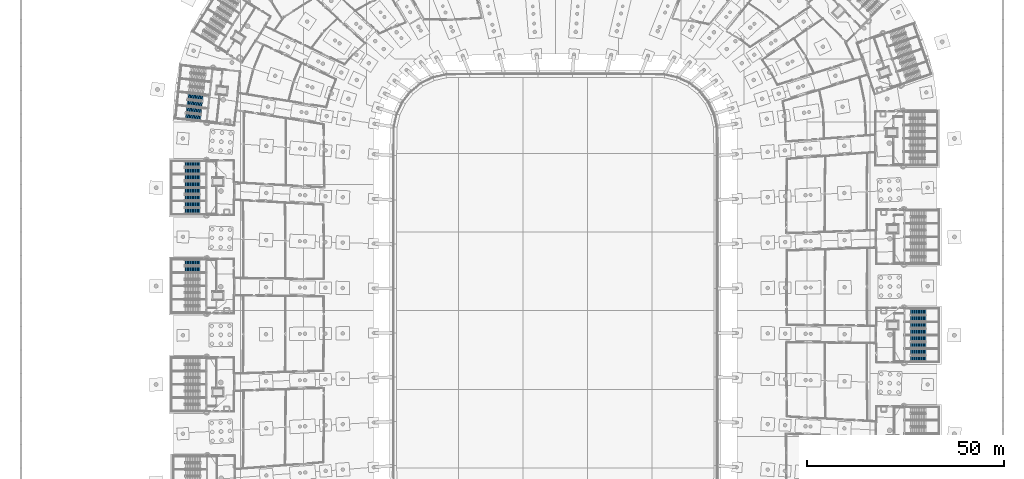
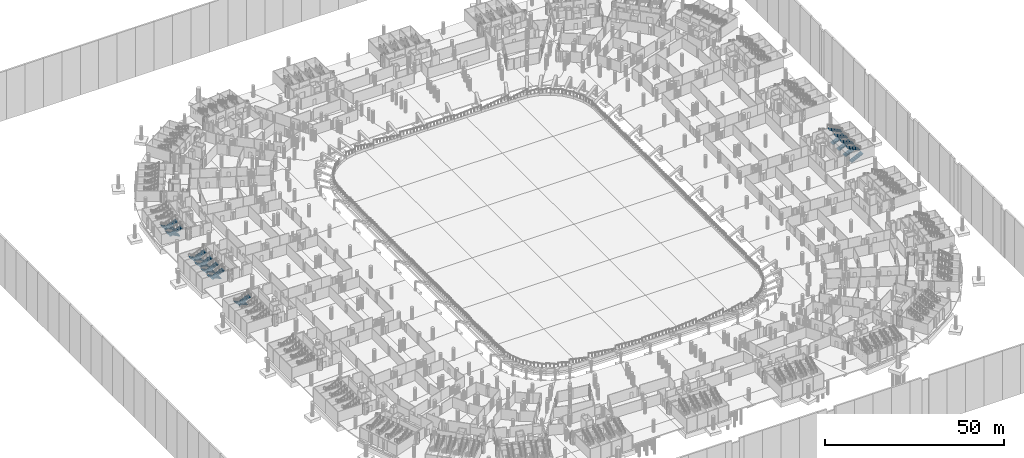
# One storey, part 103 of 142: 22 stair flights, 11 elements without a shape of their own.
"""IFC4 building model written with IfcOpenShell, lengths in metres."""

from ifc_helpers import new_model, si_unit, direction, frame, origin, place, context, subcontext, project, spatial, polyline, outline, extrude, material, type_object, element, aggregate, save


model = new_model("IFC4")

# Units and contexts
model_context = context("Model", 3, precision=1e-05, world=origin(), true_north=direction((0.0, 1.0)))
body_context = subcontext(model_context, "Body", "Model", "MODEL_VIEW")
ifc_project = project(units=[si_unit("LENGTHUNIT", "METRE"), si_unit("AREAUNIT", "SQUARE_METRE"), si_unit("VOLUMEUNIT", "CUBIC_METRE"), si_unit("PLANEANGLEUNIT", "RADIAN"), si_unit("MASSUNIT", "GRAM", prefix="KILO")], contexts=[model_context])

# Site, building, storey
site_placement = place(None, origin())
site = spatial("IfcSite", under=ifc_project, at=site_placement, CompositionType="ELEMENT")
building_placement = place(site_placement, origin())
building = spatial("IfcBuilding", under=site, at=building_placement, Name="Meseta Stadium", CompositionType="ELEMENT")
storey_placement = place(building_placement, frame((0.0, 0.0, -4.0)))
storey = spatial("IfcBuildingStorey", under=building, at=storey_placement, Name="B1", CompositionType="ELEMENT", Elevation=-4.0)

# Stair, stair flights
ifc_material_1 = material(Name="Concrete C40/50", Category="concrete")
stair_type = type_object("IfcStairType", Name="Exit stair 2 flights 154 mm risers", PredefinedType="HALF_TURN_STAIR", material=ifc_material_1)
stair_1_placement = place(storey_placement, origin())
stair_1 = element("IfcStair", 1, at=stair_1_placement, inside=storey, type_object=stair_type, Name="ST9 B1", PredefinedType="HALF_TURN_STAIR")
ifc_material_2 = material(Name="Concrete C40/50", Category="concrete")
stair_flight_type = type_object("IfcStairFlightType", Name="Exit stair flight 154 mm risers, 2 per storey", PredefinedType="STRAIGHT", material=ifc_material_2)
stair_flight_1_placement = place(storey_placement, frame((90.300048828125, -12.199951171875, 0.0), z_axis=(0.0, 0.0, 1.0), x_axis=(1.0, 0.0, 0.0)))
stair_flight_1 = element("IfcStairFlight", 2, at=stair_flight_1_placement, type_object=stair_flight_type, Name="ST9 B1 flight 1", NumberOfRisers=13, NumberOfTreads=12, PredefinedType="STRAIGHT", RiserHeight=0.153846154, TreadLength=0.32, context=body_context, shape_type="SweptSolid", body=[
    extrude(outline(polyline([(0.0, 0.0), (0.0, 0.15380859375), (0.320068359375, 0.15380859375), (0.320068359375, 0.3076171875), (0.639892578125, 0.3076171875), (0.639892578125, 0.46142578125), (0.9599609375, 0.46142578125), (0.9599609375, 0.615478515625), (1.280029296875, 0.615478515625), (1.280029296875, 0.769287109375), (1.60009765625, 0.769287109375), (1.60009765625, 0.923095703125), (1.919921875, 0.923095703125), (1.919921875, 1.076904296875), (2.239990234375, 1.076904296875), (2.239990234375, 1.230712890625), (2.56005859375, 1.230712890625), (2.56005859375, 1.384521484375), (2.8798828125, 1.384521484375), (2.8798828125, 1.53857421875), (3.199951171875, 1.53857421875), (3.199951171875, 1.6923828125), (3.52001953125, 1.6923828125), (3.52001953125, 1.84619140625), (3.840087890625, 1.84619140625), (3.840087890625, 1.679931640625), (0.345947265625, 0.0), (0.0, 0.0)])), frame((0.0, 0.75, 0.0), z_axis=(0.0, -1.0, 0.0), x_axis=(1.0, 0.0, 0.0)), (0.0, 0.0, 1.0), 1.5),
])
stair_flight_2_placement = place(storey_placement, frame((94.139892578125, -10.5, 2.0), z_axis=(0.0, 0.0, 1.0), x_axis=(-1.0, 0.0, 0.0)))
stair_flight_2 = element("IfcStairFlight", 3, at=stair_flight_2_placement, type_object=stair_flight_type, Name="ST9 B1 flight 2", NumberOfRisers=13, NumberOfTreads=12, PredefinedType="STRAIGHT", RiserHeight=0.153846154, TreadLength=0.32, context=body_context, shape_type="SweptSolid", body=[
    extrude(outline(polyline([(0.0, 0.0), (0.0, 0.15380859375), (0.320068359375, 0.15380859375), (0.320068359375, 0.3076171875), (0.639892578125, 0.3076171875), (0.639892578125, 0.46142578125), (0.9599609375, 0.46142578125), (0.9599609375, 0.615478515625), (1.280029296875, 0.615478515625), (1.280029296875, 0.769287109375), (1.60009765625, 0.769287109375), (1.60009765625, 0.923095703125), (1.919921875, 0.923095703125), (1.919921875, 1.076904296875), (2.239990234375, 1.076904296875), (2.239990234375, 1.230712890625), (2.56005859375, 1.230712890625), (2.56005859375, 1.384521484375), (2.8798828125, 1.384521484375), (2.8798828125, 1.53857421875), (3.199951171875, 1.53857421875), (3.199951171875, 1.6923828125), (3.52001953125, 1.6923828125), (3.52001953125, 1.84619140625), (3.840087890625, 1.84619140625), (3.840087890625, 1.679931640625), (0.345947265625, 0.0), (0.0, 0.0)])), frame((0.0, 0.75, 0.0), z_axis=(0.0, -1.0, 0.0), x_axis=(1.0, 0.0, 0.0)), (0.0, 0.0, 1.0), 1.5),
])
aggregate(stair_1, [stair_flight_1, stair_flight_2])

stair_2_placement = place(storey_placement, origin())
stair_2 = element("IfcStair", 4, at=stair_2_placement, inside=storey, type_object=stair_type, Name="ST10 B1", PredefinedType="HALF_TURN_STAIR")
stair_flight_3_placement = place(storey_placement, frame((90.300048828125, -8.800048828125, 0.0), z_axis=(0.0, 0.0, 1.0), x_axis=(1.0, 0.0, 0.0)))
stair_flight_3 = element("IfcStairFlight", 5, at=stair_flight_3_placement, type_object=stair_flight_type, Name="ST10 B1 flight 1", NumberOfRisers=13, NumberOfTreads=12, PredefinedType="STRAIGHT", RiserHeight=0.153846154, TreadLength=0.32, context=body_context, shape_type="SweptSolid", body=[
    extrude(outline(polyline([(0.0, 0.0), (0.0, 0.15380859375), (0.320068359375, 0.15380859375), (0.320068359375, 0.3076171875), (0.639892578125, 0.3076171875), (0.639892578125, 0.46142578125), (0.9599609375, 0.46142578125), (0.9599609375, 0.615478515625), (1.280029296875, 0.615478515625), (1.280029296875, 0.769287109375), (1.60009765625, 0.769287109375), (1.60009765625, 0.923095703125), (1.919921875, 0.923095703125), (1.919921875, 1.076904296875), (2.239990234375, 1.076904296875), (2.239990234375, 1.230712890625), (2.56005859375, 1.230712890625), (2.56005859375, 1.384521484375), (2.8798828125, 1.384521484375), (2.8798828125, 1.53857421875), (3.199951171875, 1.53857421875), (3.199951171875, 1.6923828125), (3.52001953125, 1.6923828125), (3.52001953125, 1.84619140625), (3.840087890625, 1.84619140625), (3.840087890625, 1.679931640625), (0.345947265625, 0.0), (0.0, 0.0)])), frame((0.0, 0.75, 0.0), z_axis=(0.0, -1.0, 0.0), x_axis=(1.0, 0.0, 0.0)), (0.0, 0.0, 1.0), 1.5),
])
stair_flight_4_placement = place(storey_placement, frame((94.139892578125, -7.10009765625, 2.0), z_axis=(0.0, 0.0, 1.0), x_axis=(-1.0, 0.0, 0.0)))
stair_flight_4 = element("IfcStairFlight", 6, at=stair_flight_4_placement, type_object=stair_flight_type, Name="ST10 B1 flight 2", NumberOfRisers=13, NumberOfTreads=12, PredefinedType="STRAIGHT", RiserHeight=0.153846154, TreadLength=0.32, context=body_context, shape_type="SweptSolid", body=[
    extrude(outline(polyline([(0.0, 0.0), (0.0, 0.15380859375), (0.320068359375, 0.15380859375), (0.320068359375, 0.3076171875), (0.639892578125, 0.3076171875), (0.639892578125, 0.46142578125), (0.9599609375, 0.46142578125), (0.9599609375, 0.615478515625), (1.280029296875, 0.615478515625), (1.280029296875, 0.769287109375), (1.60009765625, 0.769287109375), (1.60009765625, 0.923095703125), (1.919921875, 0.923095703125), (1.919921875, 1.076904296875), (2.239990234375, 1.076904296875), (2.239990234375, 1.230712890625), (2.56005859375, 1.230712890625), (2.56005859375, 1.384521484375), (2.8798828125, 1.384521484375), (2.8798828125, 1.53857421875), (3.199951171875, 1.53857421875), (3.199951171875, 1.6923828125), (3.52001953125, 1.6923828125), (3.52001953125, 1.84619140625), (3.840087890625, 1.84619140625), (3.840087890625, 1.679931640625), (0.345947265625, 0.0), (0.0, 0.0)])), frame((0.0, 0.75, 0.0), z_axis=(0.0, -1.0, 0.0), x_axis=(1.0, 0.0, 0.0)), (0.0, 0.0, 1.0), 1.5),
])
aggregate(stair_2, [stair_flight_3, stair_flight_4])

stair_3_placement = place(storey_placement, origin())
stair_3 = element("IfcStair", 7, at=stair_3_placement, inside=storey, type_object=stair_type, Name="ST11 B1", PredefinedType="HALF_TURN_STAIR")
stair_flight_5_placement = place(storey_placement, frame((90.300048828125, -5.39990234375, 0.0), z_axis=(0.0, 0.0, 1.0), x_axis=(1.0, 0.0, 0.0)))
stair_flight_5 = element("IfcStairFlight", 8, at=stair_flight_5_placement, type_object=stair_flight_type, Name="ST11 B1 flight 1", NumberOfRisers=13, NumberOfTreads=12, PredefinedType="STRAIGHT", RiserHeight=0.153846154, TreadLength=0.32, context=body_context, shape_type="SweptSolid", body=[
    extrude(outline(polyline([(0.0, 0.0), (0.0, 0.15380859375), (0.320068359375, 0.15380859375), (0.320068359375, 0.3076171875), (0.639892578125, 0.3076171875), (0.639892578125, 0.46142578125), (0.9599609375, 0.46142578125), (0.9599609375, 0.615478515625), (1.280029296875, 0.615478515625), (1.280029296875, 0.769287109375), (1.60009765625, 0.769287109375), (1.60009765625, 0.923095703125), (1.919921875, 0.923095703125), (1.919921875, 1.076904296875), (2.239990234375, 1.076904296875), (2.239990234375, 1.230712890625), (2.56005859375, 1.230712890625), (2.56005859375, 1.384521484375), (2.8798828125, 1.384521484375), (2.8798828125, 1.53857421875), (3.199951171875, 1.53857421875), (3.199951171875, 1.6923828125), (3.52001953125, 1.6923828125), (3.52001953125, 1.84619140625), (3.840087890625, 1.84619140625), (3.840087890625, 1.679931640625), (0.345947265625, 0.0), (0.0, 0.0)])), frame((0.0, 0.75, 0.0), z_axis=(0.0, -1.0, 0.0), x_axis=(1.0, 0.0, 0.0)), (0.0, 0.0, 1.0), 1.5),
])
stair_flight_6_placement = place(storey_placement, frame((94.139892578125, -3.699951171875, 2.0), z_axis=(0.0, 0.0, 1.0), x_axis=(-1.0, 0.0, 0.0)))
stair_flight_6 = element("IfcStairFlight", 9, at=stair_flight_6_placement, type_object=stair_flight_type, Name="ST11 B1 flight 2", NumberOfRisers=13, NumberOfTreads=12, PredefinedType="STRAIGHT", RiserHeight=0.153846154, TreadLength=0.32, context=body_context, shape_type="SweptSolid", body=[
    extrude(outline(polyline([(0.0, 0.0), (0.0, 0.15380859375), (0.320068359375, 0.15380859375), (0.320068359375, 0.3076171875), (0.639892578125, 0.3076171875), (0.639892578125, 0.46142578125), (0.9599609375, 0.46142578125), (0.9599609375, 0.615478515625), (1.280029296875, 0.615478515625), (1.280029296875, 0.769287109375), (1.60009765625, 0.769287109375), (1.60009765625, 0.923095703125), (1.919921875, 0.923095703125), (1.919921875, 1.076904296875), (2.239990234375, 1.076904296875), (2.239990234375, 1.230712890625), (2.56005859375, 1.230712890625), (2.56005859375, 1.384521484375), (2.8798828125, 1.384521484375), (2.8798828125, 1.53857421875), (3.199951171875, 1.53857421875), (3.199951171875, 1.6923828125), (3.52001953125, 1.6923828125), (3.52001953125, 1.84619140625), (3.840087890625, 1.84619140625), (3.840087890625, 1.679931640625), (0.345947265625, 0.0), (0.0, 0.0)])), frame((0.0, 0.75, 0.0), z_axis=(0.0, -1.0, 0.0), x_axis=(1.0, 0.0, 0.0)), (0.0, 0.0, 1.0), 1.5),
])
aggregate(stair_3, [stair_flight_5, stair_flight_6])

stair_4_placement = place(storey_placement, origin())
stair_4 = element("IfcStair", 10, at=stair_4_placement, inside=storey, type_object=stair_type, Name="ST12 B1", PredefinedType="HALF_TURN_STAIR")
stair_flight_7_placement = place(storey_placement, frame((90.300048828125, -2.0, 0.0), z_axis=(0.0, 0.0, 1.0), x_axis=(1.0, 0.0, 0.0)))
stair_flight_7 = element("IfcStairFlight", 11, at=stair_flight_7_placement, type_object=stair_flight_type, Name="ST12 B1 flight 1", NumberOfRisers=13, NumberOfTreads=12, PredefinedType="STRAIGHT", RiserHeight=0.153846154, TreadLength=0.32, context=body_context, shape_type="SweptSolid", body=[
    extrude(outline(polyline([(0.0, 0.0), (0.0, 0.15380859375), (0.320068359375, 0.15380859375), (0.320068359375, 0.3076171875), (0.639892578125, 0.3076171875), (0.639892578125, 0.46142578125), (0.9599609375, 0.46142578125), (0.9599609375, 0.615478515625), (1.280029296875, 0.615478515625), (1.280029296875, 0.769287109375), (1.60009765625, 0.769287109375), (1.60009765625, 0.923095703125), (1.919921875, 0.923095703125), (1.919921875, 1.076904296875), (2.239990234375, 1.076904296875), (2.239990234375, 1.230712890625), (2.56005859375, 1.230712890625), (2.56005859375, 1.384521484375), (2.8798828125, 1.384521484375), (2.8798828125, 1.53857421875), (3.199951171875, 1.53857421875), (3.199951171875, 1.6923828125), (3.52001953125, 1.6923828125), (3.52001953125, 1.84619140625), (3.840087890625, 1.84619140625), (3.840087890625, 1.679931640625), (0.345947265625, 0.0), (0.0, 0.0)])), frame((0.0, 0.75, 0.0), z_axis=(0.0, -1.0, 0.0), x_axis=(1.0, 0.0, 0.0)), (0.0, 0.0, 1.0), 1.5),
])
stair_flight_8_placement = place(storey_placement, frame((94.139892578125, -0.300048828125, 2.0), z_axis=(0.0, 0.0, 1.0), x_axis=(-1.0, 0.0, 0.0)))
stair_flight_8 = element("IfcStairFlight", 12, at=stair_flight_8_placement, type_object=stair_flight_type, Name="ST12 B1 flight 2", NumberOfRisers=13, NumberOfTreads=12, PredefinedType="STRAIGHT", RiserHeight=0.153846154, TreadLength=0.32, context=body_context, shape_type="SweptSolid", body=[
    extrude(outline(polyline([(0.0, 0.0), (0.0, 0.15380859375), (0.320068359375, 0.15380859375), (0.320068359375, 0.3076171875), (0.639892578125, 0.3076171875), (0.639892578125, 0.46142578125), (0.9599609375, 0.46142578125), (0.9599609375, 0.615478515625), (1.280029296875, 0.615478515625), (1.280029296875, 0.769287109375), (1.60009765625, 0.769287109375), (1.60009765625, 0.923095703125), (1.919921875, 0.923095703125), (1.919921875, 1.076904296875), (2.239990234375, 1.076904296875), (2.239990234375, 1.230712890625), (2.56005859375, 1.230712890625), (2.56005859375, 1.384521484375), (2.8798828125, 1.384521484375), (2.8798828125, 1.53857421875), (3.199951171875, 1.53857421875), (3.199951171875, 1.6923828125), (3.52001953125, 1.6923828125), (3.52001953125, 1.84619140625), (3.840087890625, 1.84619140625), (3.840087890625, 1.679931640625), (0.345947265625, 0.0), (0.0, 0.0)])), frame((0.0, 0.75, 0.0), z_axis=(0.0, -1.0, 0.0), x_axis=(1.0, 0.0, 0.0)), (0.0, 0.0, 1.0), 1.5),
])
aggregate(stair_4, [stair_flight_7, stair_flight_8])

stair_5_placement = place(storey_placement, origin())
stair_5 = element("IfcStair", 13, at=stair_5_placement, inside=storey, type_object=stair_type, Name="ST59 B1", PredefinedType="HALF_TURN_STAIR")
stair_flight_9_placement = place(storey_placement, frame((-89.5205078125, 54.048095703125, 0.0), z_axis=(0.0, 0.0, 1.0), x_axis=(-0.993712210731, 0.11196446867, 0.0)))
stair_flight_9 = element("IfcStairFlight", 14, at=stair_flight_9_placement, type_object=stair_flight_type, Name="ST59 B1 flight 1", NumberOfRisers=13, NumberOfTreads=12, PredefinedType="STRAIGHT", RiserHeight=0.153846154, TreadLength=0.32, context=body_context, shape_type="SweptSolid", body=[
    extrude(outline(polyline([(0.0, 0.0), (0.0, 0.15380859375), (0.320068359375, 0.15380859375), (0.320068359375, 0.3076171875), (0.639892578125, 0.3076171875), (0.639892578125, 0.46142578125), (0.9599609375, 0.46142578125), (0.9599609375, 0.615478515625), (1.280029296875, 0.615478515625), (1.280029296875, 0.769287109375), (1.60009765625, 0.769287109375), (1.60009765625, 0.923095703125), (1.919921875, 0.923095703125), (1.919921875, 1.076904296875), (2.239990234375, 1.076904296875), (2.239990234375, 1.230712890625), (2.56005859375, 1.230712890625), (2.56005859375, 1.384521484375), (2.8798828125, 1.384521484375), (2.8798828125, 1.53857421875), (3.199951171875, 1.53857421875), (3.199951171875, 1.6923828125), (3.52001953125, 1.6923828125), (3.52001953125, 1.84619140625), (3.840087890625, 1.84619140625), (3.840087890625, 1.679931640625), (0.345947265625, 0.0), (0.0, 0.0)])), frame((0.0, 0.75, 0.0), z_axis=(0.0, -1.0, 0.0), x_axis=(1.0, 0.0, 0.0)), (0.0, 0.0, 1.0), 1.5),
])
stair_flight_10_placement = place(storey_placement, frame((-93.526611328125, 52.788818359375, 2.0), z_axis=(0.0, 0.0, 1.0), x_axis=(0.993712210731, -0.11196446867, 0.0)))
stair_flight_10 = element("IfcStairFlight", 15, at=stair_flight_10_placement, type_object=stair_flight_type, Name="ST59 B1 flight 2", NumberOfRisers=13, NumberOfTreads=12, PredefinedType="STRAIGHT", RiserHeight=0.153846154, TreadLength=0.32, context=body_context, shape_type="SweptSolid", body=[
    extrude(outline(polyline([(0.0, 0.0), (0.0, 0.15380859375), (0.320068359375, 0.15380859375), (0.320068359375, 0.3076171875), (0.639892578125, 0.3076171875), (0.639892578125, 0.46142578125), (0.9599609375, 0.46142578125), (0.9599609375, 0.615478515625), (1.280029296875, 0.615478515625), (1.280029296875, 0.769287109375), (1.60009765625, 0.769287109375), (1.60009765625, 0.923095703125), (1.919921875, 0.923095703125), (1.919921875, 1.076904296875), (2.239990234375, 1.076904296875), (2.239990234375, 1.230712890625), (2.56005859375, 1.230712890625), (2.56005859375, 1.384521484375), (2.8798828125, 1.384521484375), (2.8798828125, 1.53857421875), (3.199951171875, 1.53857421875), (3.199951171875, 1.6923828125), (3.52001953125, 1.6923828125), (3.52001953125, 1.84619140625), (3.840087890625, 1.84619140625), (3.840087890625, 1.679931640625), (0.345947265625, 0.0), (0.0, 0.0)])), frame((0.0, 0.75, 0.0), z_axis=(0.0, -1.0, 0.0), x_axis=(1.0, 0.0, 0.0)), (0.0, 0.0, 1.0), 1.5),
])
aggregate(stair_5, [stair_flight_9, stair_flight_10])

stair_6_placement = place(storey_placement, origin())
stair_6 = element("IfcStair", 16, at=stair_6_placement, inside=storey, type_object=stair_type, Name="ST60 B1", PredefinedType="HALF_TURN_STAIR")
stair_flight_11_placement = place(storey_placement, frame((-89.901123046875, 50.669677734375, 0.0), z_axis=(0.0, 0.0, 1.0), x_axis=(-0.993712210731, 0.11196446867, 0.0)))
stair_flight_11 = element("IfcStairFlight", 17, at=stair_flight_11_placement, type_object=stair_flight_type, Name="ST60 B1 flight 1", NumberOfRisers=13, NumberOfTreads=12, PredefinedType="STRAIGHT", RiserHeight=0.153846154, TreadLength=0.32, context=body_context, shape_type="SweptSolid", body=[
    extrude(outline(polyline([(0.0, 0.0), (0.0, 0.15380859375), (0.320068359375, 0.15380859375), (0.320068359375, 0.3076171875), (0.639892578125, 0.3076171875), (0.639892578125, 0.46142578125), (0.9599609375, 0.46142578125), (0.9599609375, 0.615478515625), (1.280029296875, 0.615478515625), (1.280029296875, 0.769287109375), (1.60009765625, 0.769287109375), (1.60009765625, 0.923095703125), (1.919921875, 0.923095703125), (1.919921875, 1.076904296875), (2.239990234375, 1.076904296875), (2.239990234375, 1.230712890625), (2.56005859375, 1.230712890625), (2.56005859375, 1.384521484375), (2.8798828125, 1.384521484375), (2.8798828125, 1.53857421875), (3.199951171875, 1.53857421875), (3.199951171875, 1.6923828125), (3.52001953125, 1.6923828125), (3.52001953125, 1.84619140625), (3.840087890625, 1.84619140625), (3.840087890625, 1.679931640625), (0.345947265625, 0.0), (0.0, 0.0)])), frame((0.0, 0.75, 0.0), z_axis=(0.0, -1.0, 0.0), x_axis=(1.0, 0.0, 0.0)), (0.0, 0.0, 1.0), 1.5),
])
stair_flight_12_placement = place(storey_placement, frame((-93.9072265625, 49.41015625, 2.0), z_axis=(0.0, 0.0, 1.0), x_axis=(0.993712210731, -0.11196446867, 0.0)))
stair_flight_12 = element("IfcStairFlight", 18, at=stair_flight_12_placement, type_object=stair_flight_type, Name="ST60 B1 flight 2", NumberOfRisers=13, NumberOfTreads=12, PredefinedType="STRAIGHT", RiserHeight=0.153846154, TreadLength=0.32, context=body_context, shape_type="SweptSolid", body=[
    extrude(outline(polyline([(0.0, 0.0), (0.0, 0.15380859375), (0.320068359375, 0.15380859375), (0.320068359375, 0.3076171875), (0.639892578125, 0.3076171875), (0.639892578125, 0.46142578125), (0.9599609375, 0.46142578125), (0.9599609375, 0.615478515625), (1.280029296875, 0.615478515625), (1.280029296875, 0.769287109375), (1.60009765625, 0.769287109375), (1.60009765625, 0.923095703125), (1.919921875, 0.923095703125), (1.919921875, 1.076904296875), (2.239990234375, 1.076904296875), (2.239990234375, 1.230712890625), (2.56005859375, 1.230712890625), (2.56005859375, 1.384521484375), (2.8798828125, 1.384521484375), (2.8798828125, 1.53857421875), (3.199951171875, 1.53857421875), (3.199951171875, 1.6923828125), (3.52001953125, 1.6923828125), (3.52001953125, 1.84619140625), (3.840087890625, 1.84619140625), (3.840087890625, 1.679931640625), (0.345947265625, 0.0), (0.0, 0.0)])), frame((0.0, 0.75, 0.0), z_axis=(0.0, -1.0, 0.0), x_axis=(1.0, 0.0, 0.0)), (0.0, 0.0, 1.0), 1.5),
])
aggregate(stair_6, [stair_flight_11, stair_flight_12])

stair_7_placement = place(storey_placement, origin())
stair_7 = element("IfcStair", 19, at=stair_7_placement, inside=storey, type_object=stair_type, Name="ST61 B1", PredefinedType="HALF_TURN_STAIR")
stair_flight_13_placement = place(storey_placement, frame((-90.300048828125, 37.199951171875, 0.0), z_axis=(0.0, 0.0, 1.0), x_axis=(-1.0, 0.0, 0.0)))
stair_flight_13 = element("IfcStairFlight", 20, at=stair_flight_13_placement, type_object=stair_flight_type, Name="ST61 B1 flight 1", NumberOfRisers=13, NumberOfTreads=12, PredefinedType="STRAIGHT", RiserHeight=0.153846154, TreadLength=0.32, context=body_context, shape_type="SweptSolid", body=[
    extrude(outline(polyline([(0.0, 0.0), (0.0, 0.15380859375), (0.320068359375, 0.15380859375), (0.320068359375, 0.3076171875), (0.639892578125, 0.3076171875), (0.639892578125, 0.46142578125), (0.9599609375, 0.46142578125), (0.9599609375, 0.615478515625), (1.280029296875, 0.615478515625), (1.280029296875, 0.769287109375), (1.60009765625, 0.769287109375), (1.60009765625, 0.923095703125), (1.919921875, 0.923095703125), (1.919921875, 1.076904296875), (2.239990234375, 1.076904296875), (2.239990234375, 1.230712890625), (2.56005859375, 1.230712890625), (2.56005859375, 1.384521484375), (2.8798828125, 1.384521484375), (2.8798828125, 1.53857421875), (3.199951171875, 1.53857421875), (3.199951171875, 1.6923828125), (3.52001953125, 1.6923828125), (3.52001953125, 1.84619140625), (3.840087890625, 1.84619140625), (3.840087890625, 1.679931640625), (0.345947265625, 0.0), (0.0, 0.0)])), frame((0.0, 0.75, 0.0), z_axis=(0.0, -1.0, 0.0), x_axis=(1.0, 0.0, 0.0)), (0.0, 0.0, 1.0), 1.5),
])
stair_flight_14_placement = place(storey_placement, frame((-94.139892578125, 35.5, 2.0), z_axis=(0.0, 0.0, 1.0), x_axis=(1.0, 0.0, 0.0)))
stair_flight_14 = element("IfcStairFlight", 21, at=stair_flight_14_placement, type_object=stair_flight_type, Name="ST61 B1 flight 2", NumberOfRisers=13, NumberOfTreads=12, PredefinedType="STRAIGHT", RiserHeight=0.153846154, TreadLength=0.32, context=body_context, shape_type="SweptSolid", body=[
    extrude(outline(polyline([(0.0, 0.0), (0.0, 0.15380859375), (0.320068359375, 0.15380859375), (0.320068359375, 0.3076171875), (0.639892578125, 0.3076171875), (0.639892578125, 0.46142578125), (0.9599609375, 0.46142578125), (0.9599609375, 0.615478515625), (1.280029296875, 0.615478515625), (1.280029296875, 0.769287109375), (1.60009765625, 0.769287109375), (1.60009765625, 0.923095703125), (1.919921875, 0.923095703125), (1.919921875, 1.076904296875), (2.239990234375, 1.076904296875), (2.239990234375, 1.230712890625), (2.56005859375, 1.230712890625), (2.56005859375, 1.384521484375), (2.8798828125, 1.384521484375), (2.8798828125, 1.53857421875), (3.199951171875, 1.53857421875), (3.199951171875, 1.6923828125), (3.52001953125, 1.6923828125), (3.52001953125, 1.84619140625), (3.840087890625, 1.84619140625), (3.840087890625, 1.679931640625), (0.345947265625, 0.0), (0.0, 0.0)])), frame((0.0, 0.75, 0.0), z_axis=(0.0, -1.0, 0.0), x_axis=(1.0, 0.0, 0.0)), (0.0, 0.0, 1.0), 1.5),
])
aggregate(stair_7, [stair_flight_13, stair_flight_14])

stair_8_placement = place(storey_placement, origin())
stair_8 = element("IfcStair", 22, at=stair_8_placement, inside=storey, type_object=stair_type, Name="ST62 B1", PredefinedType="HALF_TURN_STAIR")
stair_flight_15_placement = place(storey_placement, frame((-90.300048828125, 33.800048828125, 0.0), z_axis=(0.0, 0.0, 1.0), x_axis=(-1.0, 0.0, 0.0)))
stair_flight_15 = element("IfcStairFlight", 23, at=stair_flight_15_placement, type_object=stair_flight_type, Name="ST62 B1 flight 1", NumberOfRisers=13, NumberOfTreads=12, PredefinedType="STRAIGHT", RiserHeight=0.153846154, TreadLength=0.32, context=body_context, shape_type="SweptSolid", body=[
    extrude(outline(polyline([(0.0, 0.0), (0.0, 0.15380859375), (0.320068359375, 0.15380859375), (0.320068359375, 0.3076171875), (0.639892578125, 0.3076171875), (0.639892578125, 0.46142578125), (0.9599609375, 0.46142578125), (0.9599609375, 0.615478515625), (1.280029296875, 0.615478515625), (1.280029296875, 0.769287109375), (1.60009765625, 0.769287109375), (1.60009765625, 0.923095703125), (1.919921875, 0.923095703125), (1.919921875, 1.076904296875), (2.239990234375, 1.076904296875), (2.239990234375, 1.230712890625), (2.56005859375, 1.230712890625), (2.56005859375, 1.384521484375), (2.8798828125, 1.384521484375), (2.8798828125, 1.53857421875), (3.199951171875, 1.53857421875), (3.199951171875, 1.6923828125), (3.52001953125, 1.6923828125), (3.52001953125, 1.84619140625), (3.840087890625, 1.84619140625), (3.840087890625, 1.679931640625), (0.345947265625, 0.0), (0.0, 0.0)])), frame((0.0, 0.75, 0.0), z_axis=(0.0, -1.0, 0.0), x_axis=(1.0, 0.0, 0.0)), (0.0, 0.0, 1.0), 1.5),
])
stair_flight_16_placement = place(storey_placement, frame((-94.139892578125, 32.10009765625, 2.0), z_axis=(0.0, 0.0, 1.0), x_axis=(1.0, 0.0, 0.0)))
stair_flight_16 = element("IfcStairFlight", 24, at=stair_flight_16_placement, type_object=stair_flight_type, Name="ST62 B1 flight 2", NumberOfRisers=13, NumberOfTreads=12, PredefinedType="STRAIGHT", RiserHeight=0.153846154, TreadLength=0.32, context=body_context, shape_type="SweptSolid", body=[
    extrude(outline(polyline([(0.0, 0.0), (0.0, 0.15380859375), (0.320068359375, 0.15380859375), (0.320068359375, 0.3076171875), (0.639892578125, 0.3076171875), (0.639892578125, 0.46142578125), (0.9599609375, 0.46142578125), (0.9599609375, 0.615478515625), (1.280029296875, 0.615478515625), (1.280029296875, 0.769287109375), (1.60009765625, 0.769287109375), (1.60009765625, 0.923095703125), (1.919921875, 0.923095703125), (1.919921875, 1.076904296875), (2.239990234375, 1.076904296875), (2.239990234375, 1.230712890625), (2.56005859375, 1.230712890625), (2.56005859375, 1.384521484375), (2.8798828125, 1.384521484375), (2.8798828125, 1.53857421875), (3.199951171875, 1.53857421875), (3.199951171875, 1.6923828125), (3.52001953125, 1.6923828125), (3.52001953125, 1.84619140625), (3.840087890625, 1.84619140625), (3.840087890625, 1.679931640625), (0.345947265625, 0.0), (0.0, 0.0)])), frame((0.0, 0.75, 0.0), z_axis=(0.0, -1.0, 0.0), x_axis=(1.0, 0.0, 0.0)), (0.0, 0.0, 1.0), 1.5),
])
aggregate(stair_8, [stair_flight_15, stair_flight_16])

stair_9_placement = place(storey_placement, origin())
stair_9 = element("IfcStair", 25, at=stair_9_placement, inside=storey, type_object=stair_type, Name="ST63 B1", PredefinedType="HALF_TURN_STAIR")
stair_flight_17_placement = place(storey_placement, frame((-90.300048828125, 30.39990234375, 0.0), z_axis=(0.0, 0.0, 1.0), x_axis=(-1.0, 0.0, 0.0)))
stair_flight_17 = element("IfcStairFlight", 26, at=stair_flight_17_placement, type_object=stair_flight_type, Name="ST63 B1 flight 1", NumberOfRisers=13, NumberOfTreads=12, PredefinedType="STRAIGHT", RiserHeight=0.153846154, TreadLength=0.32, context=body_context, shape_type="SweptSolid", body=[
    extrude(outline(polyline([(0.0, 0.0), (0.0, 0.15380859375), (0.320068359375, 0.15380859375), (0.320068359375, 0.3076171875), (0.639892578125, 0.3076171875), (0.639892578125, 0.46142578125), (0.9599609375, 0.46142578125), (0.9599609375, 0.615478515625), (1.280029296875, 0.615478515625), (1.280029296875, 0.769287109375), (1.60009765625, 0.769287109375), (1.60009765625, 0.923095703125), (1.919921875, 0.923095703125), (1.919921875, 1.076904296875), (2.239990234375, 1.076904296875), (2.239990234375, 1.230712890625), (2.56005859375, 1.230712890625), (2.56005859375, 1.384521484375), (2.8798828125, 1.384521484375), (2.8798828125, 1.53857421875), (3.199951171875, 1.53857421875), (3.199951171875, 1.6923828125), (3.52001953125, 1.6923828125), (3.52001953125, 1.84619140625), (3.840087890625, 1.84619140625), (3.840087890625, 1.679931640625), (0.345947265625, 0.0), (0.0, 0.0)])), frame((0.0, 0.75, 0.0), z_axis=(0.0, -1.0, 0.0), x_axis=(1.0, 0.0, 0.0)), (0.0, 0.0, 1.0), 1.5),
])
stair_flight_18_placement = place(storey_placement, frame((-94.139892578125, 28.699951171875, 2.0), z_axis=(0.0, 0.0, 1.0), x_axis=(1.0, 0.0, 0.0)))
stair_flight_18 = element("IfcStairFlight", 27, at=stair_flight_18_placement, type_object=stair_flight_type, Name="ST63 B1 flight 2", NumberOfRisers=13, NumberOfTreads=12, PredefinedType="STRAIGHT", RiserHeight=0.153846154, TreadLength=0.32, context=body_context, shape_type="SweptSolid", body=[
    extrude(outline(polyline([(0.0, 0.0), (0.0, 0.15380859375), (0.320068359375, 0.15380859375), (0.320068359375, 0.3076171875), (0.639892578125, 0.3076171875), (0.639892578125, 0.46142578125), (0.9599609375, 0.46142578125), (0.9599609375, 0.615478515625), (1.280029296875, 0.615478515625), (1.280029296875, 0.769287109375), (1.60009765625, 0.769287109375), (1.60009765625, 0.923095703125), (1.919921875, 0.923095703125), (1.919921875, 1.076904296875), (2.239990234375, 1.076904296875), (2.239990234375, 1.230712890625), (2.56005859375, 1.230712890625), (2.56005859375, 1.384521484375), (2.8798828125, 1.384521484375), (2.8798828125, 1.53857421875), (3.199951171875, 1.53857421875), (3.199951171875, 1.6923828125), (3.52001953125, 1.6923828125), (3.52001953125, 1.84619140625), (3.840087890625, 1.84619140625), (3.840087890625, 1.679931640625), (0.345947265625, 0.0), (0.0, 0.0)])), frame((0.0, 0.75, 0.0), z_axis=(0.0, -1.0, 0.0), x_axis=(1.0, 0.0, 0.0)), (0.0, 0.0, 1.0), 1.5),
])
aggregate(stair_9, [stair_flight_17, stair_flight_18])

stair_10_placement = place(storey_placement, origin())
stair_10 = element("IfcStair", 28, at=stair_10_placement, inside=storey, type_object=stair_type, Name="ST64 B1", PredefinedType="HALF_TURN_STAIR")
stair_flight_19_placement = place(storey_placement, frame((-90.300048828125, 27.0, 0.0), z_axis=(0.0, 0.0, 1.0), x_axis=(-1.0, 0.0, 0.0)))
stair_flight_19 = element("IfcStairFlight", 29, at=stair_flight_19_placement, type_object=stair_flight_type, Name="ST64 B1 flight 1", NumberOfRisers=13, NumberOfTreads=12, PredefinedType="STRAIGHT", RiserHeight=0.153846154, TreadLength=0.32, context=body_context, shape_type="SweptSolid", body=[
    extrude(outline(polyline([(0.0, 0.0), (0.0, 0.15380859375), (0.320068359375, 0.15380859375), (0.320068359375, 0.3076171875), (0.639892578125, 0.3076171875), (0.639892578125, 0.46142578125), (0.9599609375, 0.46142578125), (0.9599609375, 0.615478515625), (1.280029296875, 0.615478515625), (1.280029296875, 0.769287109375), (1.60009765625, 0.769287109375), (1.60009765625, 0.923095703125), (1.919921875, 0.923095703125), (1.919921875, 1.076904296875), (2.239990234375, 1.076904296875), (2.239990234375, 1.230712890625), (2.56005859375, 1.230712890625), (2.56005859375, 1.384521484375), (2.8798828125, 1.384521484375), (2.8798828125, 1.53857421875), (3.199951171875, 1.53857421875), (3.199951171875, 1.6923828125), (3.52001953125, 1.6923828125), (3.52001953125, 1.84619140625), (3.840087890625, 1.84619140625), (3.840087890625, 1.679931640625), (0.345947265625, 0.0), (0.0, 0.0)])), frame((0.0, 0.75, 0.0), z_axis=(0.0, -1.0, 0.0), x_axis=(1.0, 0.0, 0.0)), (0.0, 0.0, 1.0), 1.5),
])
stair_flight_20_placement = place(storey_placement, frame((-94.139892578125, 25.300048828125, 2.0), z_axis=(0.0, 0.0, 1.0), x_axis=(1.0, 0.0, 0.0)))
stair_flight_20 = element("IfcStairFlight", 30, at=stair_flight_20_placement, type_object=stair_flight_type, Name="ST64 B1 flight 2", NumberOfRisers=13, NumberOfTreads=12, PredefinedType="STRAIGHT", RiserHeight=0.153846154, TreadLength=0.32, context=body_context, shape_type="SweptSolid", body=[
    extrude(outline(polyline([(0.0, 0.0), (0.0, 0.15380859375), (0.320068359375, 0.15380859375), (0.320068359375, 0.3076171875), (0.639892578125, 0.3076171875), (0.639892578125, 0.46142578125), (0.9599609375, 0.46142578125), (0.9599609375, 0.615478515625), (1.280029296875, 0.615478515625), (1.280029296875, 0.769287109375), (1.60009765625, 0.769287109375), (1.60009765625, 0.923095703125), (1.919921875, 0.923095703125), (1.919921875, 1.076904296875), (2.239990234375, 1.076904296875), (2.239990234375, 1.230712890625), (2.56005859375, 1.230712890625), (2.56005859375, 1.384521484375), (2.8798828125, 1.384521484375), (2.8798828125, 1.53857421875), (3.199951171875, 1.53857421875), (3.199951171875, 1.6923828125), (3.52001953125, 1.6923828125), (3.52001953125, 1.84619140625), (3.840087890625, 1.84619140625), (3.840087890625, 1.679931640625), (0.345947265625, 0.0), (0.0, 0.0)])), frame((0.0, 0.75, 0.0), z_axis=(0.0, -1.0, 0.0), x_axis=(1.0, 0.0, 0.0)), (0.0, 0.0, 1.0), 1.5),
])
aggregate(stair_10, [stair_flight_19, stair_flight_20])

stair_11_placement = place(storey_placement, origin())
stair_11 = element("IfcStair", 31, at=stair_11_placement, inside=storey, type_object=stair_type, Name="ST65 B1", PredefinedType="HALF_TURN_STAIR")
stair_flight_21_placement = place(storey_placement, frame((-90.300048828125, 12.199951171875, 0.0), z_axis=(0.0, 0.0, 1.0), x_axis=(-1.0, 0.0, 0.0)))
stair_flight_21 = element("IfcStairFlight", 32, at=stair_flight_21_placement, type_object=stair_flight_type, Name="ST65 B1 flight 1", NumberOfRisers=13, NumberOfTreads=12, PredefinedType="STRAIGHT", RiserHeight=0.153846154, TreadLength=0.32, context=body_context, shape_type="SweptSolid", body=[
    extrude(outline(polyline([(0.0, 0.0), (0.0, 0.15380859375), (0.320068359375, 0.15380859375), (0.320068359375, 0.3076171875), (0.639892578125, 0.3076171875), (0.639892578125, 0.46142578125), (0.9599609375, 0.46142578125), (0.9599609375, 0.615478515625), (1.280029296875, 0.615478515625), (1.280029296875, 0.769287109375), (1.60009765625, 0.769287109375), (1.60009765625, 0.923095703125), (1.919921875, 0.923095703125), (1.919921875, 1.076904296875), (2.239990234375, 1.076904296875), (2.239990234375, 1.230712890625), (2.56005859375, 1.230712890625), (2.56005859375, 1.384521484375), (2.8798828125, 1.384521484375), (2.8798828125, 1.53857421875), (3.199951171875, 1.53857421875), (3.199951171875, 1.6923828125), (3.52001953125, 1.6923828125), (3.52001953125, 1.84619140625), (3.840087890625, 1.84619140625), (3.840087890625, 1.679931640625), (0.345947265625, 0.0), (0.0, 0.0)])), frame((0.0, 0.75, 0.0), z_axis=(0.0, -1.0, 0.0), x_axis=(1.0, 0.0, 0.0)), (0.0, 0.0, 1.0), 1.5),
])
stair_flight_22_placement = place(storey_placement, frame((-94.139892578125, 10.5, 2.0), z_axis=(0.0, 0.0, 1.0), x_axis=(1.0, 0.0, 0.0)))
stair_flight_22 = element("IfcStairFlight", 33, at=stair_flight_22_placement, type_object=stair_flight_type, Name="ST65 B1 flight 2", NumberOfRisers=13, NumberOfTreads=12, PredefinedType="STRAIGHT", RiserHeight=0.153846154, TreadLength=0.32, context=body_context, shape_type="SweptSolid", body=[
    extrude(outline(polyline([(0.0, 0.0), (0.0, 0.15380859375), (0.320068359375, 0.15380859375), (0.320068359375, 0.3076171875), (0.639892578125, 0.3076171875), (0.639892578125, 0.46142578125), (0.9599609375, 0.46142578125), (0.9599609375, 0.615478515625), (1.280029296875, 0.615478515625), (1.280029296875, 0.769287109375), (1.60009765625, 0.769287109375), (1.60009765625, 0.923095703125), (1.919921875, 0.923095703125), (1.919921875, 1.076904296875), (2.239990234375, 1.076904296875), (2.239990234375, 1.230712890625), (2.56005859375, 1.230712890625), (2.56005859375, 1.384521484375), (2.8798828125, 1.384521484375), (2.8798828125, 1.53857421875), (3.199951171875, 1.53857421875), (3.199951171875, 1.6923828125), (3.52001953125, 1.6923828125), (3.52001953125, 1.84619140625), (3.840087890625, 1.84619140625), (3.840087890625, 1.679931640625), (0.345947265625, 0.0), (0.0, 0.0)])), frame((0.0, 0.75, 0.0), z_axis=(0.0, -1.0, 0.0), x_axis=(1.0, 0.0, 0.0)), (0.0, 0.0, 1.0), 1.5),
])
aggregate(stair_11, [stair_flight_21, stair_flight_22])

save(model, "model.ifc")
